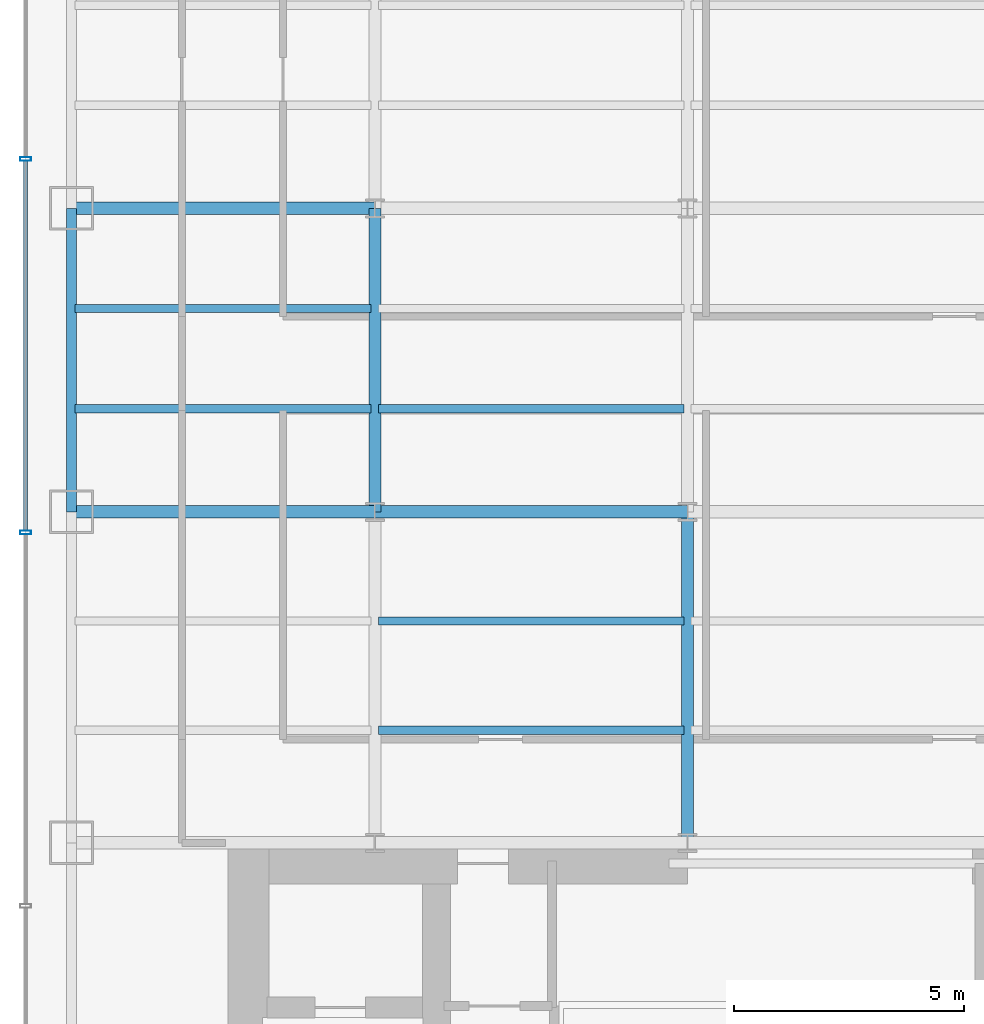
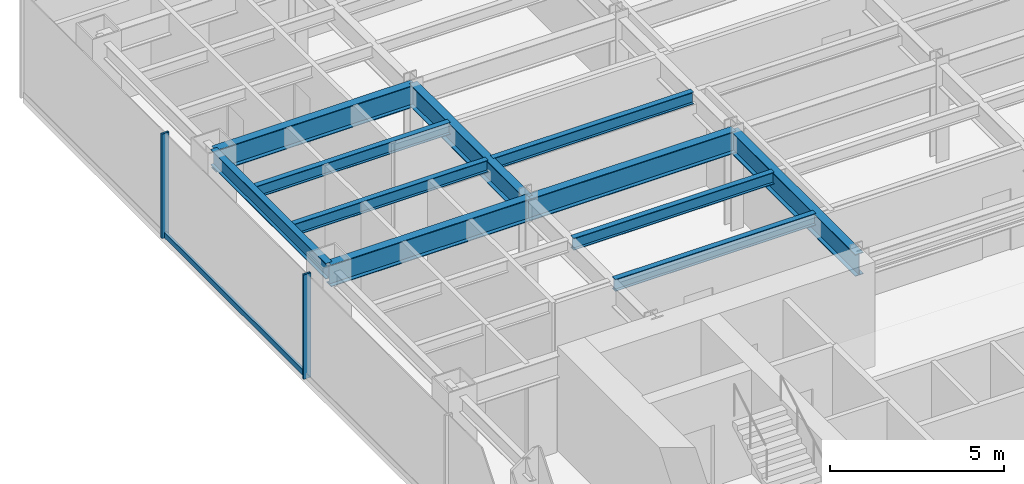
# One storey, part 4 of 22: 11 beams, 3 members, 1 element without a shape of its own.
"""IFC4 building model written with IfcOpenShell, lengths in metres."""

from ifc_helpers import new_model, si_unit, derived_unit, direction, frame, origin, origin_2d, place, context, subcontext, project, spatial, hollow_rectangle, i_section, extrude, source, transform, mapped, material, material_profile, profile_set, type_object, element, aggregate, save


model = new_model("IFC4")

# Units and contexts
model_context = context("Model", 3, precision=1e-05, world=origin(), true_north=direction((0.0, 1.0)))
body_context = subcontext(model_context, "Body", "Model", "MODEL_VIEW")
ifc_project = project(units=[si_unit("LENGTHUNIT", "METRE"), si_unit("AREAUNIT", "SQUARE_METRE"), si_unit("VOLUMEUNIT", "CUBIC_METRE"), si_unit("PLANEANGLEUNIT", "RADIAN"), si_unit("MASSUNIT", "GRAM", prefix="KILO"), derived_unit("THERMALTRANSMITTANCEUNIT", [(si_unit("POWERUNIT", "WATT"), 1), (si_unit("LENGTHUNIT", "METRE"), -2), (si_unit("THERMODYNAMICTEMPERATUREUNIT", "KELVIN"), -1)])], contexts=[model_context])

# Site, building, storey
site_placement = place(None, origin())
site = spatial("IfcSite", under=ifc_project, at=site_placement, CompositionType="ELEMENT")
building_placement = place(site_placement, origin())
building = spatial("IfcBuilding", under=site, at=building_placement, Name="Skarnbrae Concourse Arena and Tower", CompositionType="ELEMENT")
storey_placement = place(building_placement, frame((0.0, 0.0, 69.0)))
storey = spatial("IfcBuildingStorey", under=building, at=storey_placement, Name="L16", CompositionType="ELEMENT", Elevation=69.0)

# Beams
ifc_material_1 = material(Name="Steel CSA G40.21 350W", Category="steel")
ifc_material_profile_1 = material_profile(ifc_material_1, i_section(OverallWidth=0.26806640625, OverallDepth=0.77001953125, WebThickness=0.015625, FlangeThickness=0.025390625, at=origin_2d()), Name="W760X196")
ifc_profile_set_1 = profile_set([ifc_material_profile_1], Name="Steel CSA G40.21 350W")
beam_type_1 = type_object("IfcBeamType", Name="BM-GIRD-W760X196", PredefinedType="BEAM", material=ifc_profile_set_1)
shared_shape_1 = source(origin(), body_context, "Body", "SweptSolid", [
    extrude(i_section(OverallWidth=0.26806640625, OverallDepth=0.77001953125, WebThickness=0.015625, FlangeThickness=0.025390625, at=origin_2d()), origin(), (0.0, 0.0, 1.0), 6.60009765625),
])
for number, where, z_axis, x_axis, name in (
    (1, (1.0, 21.199951171875, 3.014892578125), (1.0, 0.0, 0.0), (0.0, 1.0, 0.0), "L16 Primary E-W girder Y21.2-1"),
    (2, (1.0, 27.800048828125, 3.014892578125), (1.0, 0.0, 0.0), (0.0, 1.0, 0.0), "L16 Primary E-W girder Y27.8-1"),
    (3, (7.60009765625, 21.199951171875, 3.014892578125), (0.0, 1.0, 0.0), (-1.0, 0.0, 0.0), "L16 Primary N-S girder X7.6-2"),
):
    element("IfcBeam", number, at=place(storey_placement, frame(where, z_axis=z_axis, x_axis=x_axis)), inside=storey, type_object=beam_type_1, Name=name, PredefinedType="BEAM", context=body_context, shape_type="MappedRepresentation", body=[
        mapped(shared_shape_1, transform((0.0, 0.0, 0.0))),
    ])
shared_shape_2 = source(origin(), body_context, "Body", "SweptSolid", [
    extrude(i_section(OverallWidth=0.26806640625, OverallDepth=0.77001953125, WebThickness=0.015625, FlangeThickness=0.025390625, at=origin_2d()), origin(), (0.0, 0.0, 1.0), 6.7998046875),
])
beam_1_placement = place(storey_placement, frame((7.60009765625, 21.199951171875, 3.014892578125), z_axis=(1.0, 0.0, 0.0), x_axis=(0.0, 1.0, 0.0)))
element("IfcBeam", 4, at=beam_1_placement, inside=storey, type_object=beam_type_1, Name="L16 Primary E-W girder Y21.2-2", PredefinedType="BEAM", context=body_context, shape_type="MappedRepresentation", body=[
    mapped(shared_shape_2, transform((0.0, 0.0, 0.0))),
])
ifc_material_profile_2 = material_profile(ifc_material_1, i_section(OverallWidth=0.214111328125, OverallDepth=0.549072265625, WebThickness=0.0146484375, FlangeThickness=0.023681640625, at=origin_2d()), Name="W530X138")
ifc_profile_set_2 = profile_set([ifc_material_profile_2], Name="Steel CSA G40.21 350W")
beam_type_2 = type_object("IfcBeamType", Name="BM-SPAN-W530X138", PredefinedType="SPANDREL", material=ifc_profile_set_2)
shared_shape_3 = source(origin(), body_context, "Body", "SweptSolid", [
    extrude(i_section(OverallWidth=0.214111328125, OverallDepth=0.549072265625, WebThickness=0.0146484375, FlangeThickness=0.023681640625, at=origin_2d()), origin(), (0.0, 0.0, 1.0), 6.60009765625),
])
beam_2_placement = place(storey_placement, frame((1.0, 21.199951171875, 3.12548828125), z_axis=(0.0, 1.0, 0.0), x_axis=(-1.0, 0.0, 0.0)))
element("IfcBeam", 5, at=beam_2_placement, inside=storey, type_object=beam_type_2, Name="L16 Perimeter spandrel X1.0-3", PredefinedType="SPANDREL", context=body_context, shape_type="MappedRepresentation", body=[
    mapped(shared_shape_3, transform((0.0, 0.0, 0.0))),
])
shared_shape_4 = source(origin(), body_context, "Body", "SweptSolid", [
    extrude(i_section(OverallWidth=0.26806640625, OverallDepth=0.77001953125, WebThickness=0.015625, FlangeThickness=0.025390625, at=origin_2d()), origin(), (0.0, 0.0, 1.0), 7.199951171875),
])
beam_3_placement = place(storey_placement, frame((14.39990234375, 14.0, 3.014892578125), z_axis=(0.0, 1.0, 0.0), x_axis=(-1.0, 0.0, 0.0)))
element("IfcBeam", 6, at=beam_3_placement, inside=storey, type_object=beam_type_1, Name="L16 Primary N-S girder X14.4-1", PredefinedType="BEAM", context=body_context, shape_type="MappedRepresentation", body=[
    mapped(shared_shape_4, transform((0.0, 0.0, 0.0))),
])
ifc_material_profile_3 = material_profile(ifc_material_1, i_section(OverallWidth=0.180908203125, OverallDepth=0.4169921875, WebThickness=0.010986328125, FlangeThickness=0.018310546875, at=origin_2d()), Name="W410X85")
ifc_profile_set_3 = profile_set([ifc_material_profile_3], Name="Steel CSA G40.21 350W")
beam_type_3 = type_object("IfcBeamType", Name="BM-JOIST-W410X85", PredefinedType="JOIST", material=ifc_profile_set_3)
shared_shape_5 = source(origin(), body_context, "Body", "SweptSolid", [
    extrude(i_section(OverallWidth=0.180908203125, OverallDepth=0.4169921875, WebThickness=0.010986328125, FlangeThickness=0.018310546875, at=origin_2d()), origin(), (0.0, 0.0, 1.0), 6.43994140625),
])
for number, where, z_axis, x_axis, name in (
    (7, (1.080078125, 23.444091796875, 3.19140625), (1.0, 0.0, 0.0), (0.0, 1.0, 0.0), "L16 Secondary floor joist 2.1.1"),
    (8, (1.080078125, 25.6220703125, 3.19140625), (1.0, 0.0, 0.0), (0.0, 1.0, 0.0), "L16 Secondary floor joist 2.2.1"),
):
    element("IfcBeam", number, at=place(storey_placement, frame(where, z_axis=z_axis, x_axis=x_axis)), inside=storey, type_object=beam_type_3, Name=name, PredefinedType="JOIST", context=body_context, shape_type="MappedRepresentation", body=[
        mapped(shared_shape_5, transform((0.0, 0.0, 0.0))),
    ])
shared_shape_6 = source(origin(), body_context, "Body", "SweptSolid", [
    extrude(i_section(OverallWidth=0.180908203125, OverallDepth=0.4169921875, WebThickness=0.010986328125, FlangeThickness=0.018310546875, at=origin_2d()), origin(), (0.0, 0.0, 1.0), 6.64013671875),
])
for number, where, z_axis, x_axis, name in (
    (9, (7.679931640625, 16.447998046875, 3.19140625), (1.0, 0.0, 0.0), (0.0, 1.0, 0.0), "L16 Secondary floor joist 1.1.2"),
    (10, (7.679931640625, 18.823974609375, 3.19140625), (1.0, 0.0, 0.0), (0.0, 1.0, 0.0), "L16 Secondary floor joist 1.2.2"),
    (11, (7.679931640625, 23.444091796875, 3.19140625), (1.0, 0.0, 0.0), (0.0, 1.0, 0.0), "L16 Secondary floor joist 2.1.2"),
):
    element("IfcBeam", number, at=place(storey_placement, frame(where, z_axis=z_axis, x_axis=x_axis)), inside=storey, type_object=beam_type_3, Name=name, PredefinedType="JOIST", context=body_context, shape_type="MappedRepresentation", body=[
        mapped(shared_shape_6, transform((0.0, 0.0, 0.0))),
    ])

# Curtain wall, members
ifc_material_2 = material(Name="Bronze anodised aluminium 6063-T6", Category="aluminium")
curtain_wall_type = type_object("IfcCurtainWallType", Name="CW-SYS-02-LOWZONE", PredefinedType="USERDEFINED", material=ifc_material_2)
curtain_wall_placement = place(storey_placement, origin())
curtain_wall = element("IfcCurtainWall", 12, at=curtain_wall_placement, inside=storey, type_object=curtain_wall_type, Name="L16 Unitised curtain wall CW-L16-E19", ObjectType="UNITISED CURTAIN WALL", PredefinedType="USERDEFINED")
ifc_material_profile_4 = material_profile(ifc_material_2, hollow_rectangle(XDim=0.080078125, YDim=0.239990234375, WallThickness=0.0048828125, at=origin_2d()), Name="ALU-MULL-80X240")
ifc_profile_set_4 = profile_set([ifc_material_profile_4], Name="Bronze anodised aluminium 6063-T6")
member_type_1 = type_object("IfcMemberType", Name="CWM-CW-02", PredefinedType="MULLION", material=ifc_profile_set_4)
shared_shape_7 = source(origin(), body_context, "Body", "SweptSolid", [
    extrude(hollow_rectangle(XDim=0.080078125, YDim=0.239990234375, WallThickness=0.0048828125, at=origin_2d()), origin(), (0.0, 0.0, 1.0), 3.64990234375),
])
member_1_placement = place(storey_placement, frame((0.0, 28.875, 0.0), z_axis=(0.0, 0.0, 1.0), x_axis=(0.0, -1.0, 0.0)))
member_1 = element("IfcMember", 13, at=member_1_placement, type_object=member_type_1, Name="CW-L16-E19 Mullion 2", PredefinedType="MULLION", context=body_context, shape_type="MappedRepresentation", body=[
    mapped(shared_shape_7, transform((0.0, 0.0, 0.0))),
])
member_2_placement = place(storey_placement, frame((0.0, 20.75, 0.0), z_axis=(0.0, 0.0, 1.0), x_axis=(0.0, -1.0, 0.0)))
member_2 = element("IfcMember", 14, at=member_2_placement, type_object=member_type_1, Name="CW-L16-E19 Mullion 3", PredefinedType="MULLION", context=body_context, shape_type="MappedRepresentation", body=[
    mapped(shared_shape_7, transform((0.0, 0.0, 0.0))),
])
ifc_material_profile_5 = material_profile(ifc_material_2, hollow_rectangle(XDim=0.080078125, YDim=0.18994140625, WallThickness=0.0048828125, at=origin_2d()), Name="ALU-TRAN-80X190")
ifc_profile_set_5 = profile_set([ifc_material_profile_5], Name="Bronze anodised aluminium 6063-T6")
member_type_2 = type_object("IfcMemberType", Name="CWT-CW-02", PredefinedType="USERDEFINED", material=ifc_profile_set_5)
shared_shape_8 = source(origin(), body_context, "Body", "SweptSolid", [
    extrude(hollow_rectangle(XDim=0.080078125, YDim=0.18994140625, WallThickness=0.0048828125, at=origin_2d()), origin(), (0.0, 0.0, 1.0), 8.044921875),
])
member_3_placement = place(storey_placement, frame((0.0, 28.8349609375, 0.094970703125), z_axis=(0.0, -1.0, 0.0), x_axis=(1.0, 0.0, 0.0)))
member_3 = element("IfcMember", 15, at=member_3_placement, type_object=member_type_2, Name="CW-L16-E19 Transom 2", ObjectType="TRANSOM", PredefinedType="USERDEFINED", context=body_context, shape_type="MappedRepresentation", body=[
    mapped(shared_shape_8, transform((0.0, 0.0, 0.0))),
])
aggregate(curtain_wall, [member_1, member_2, member_3])

save(model, "model.ifc")
